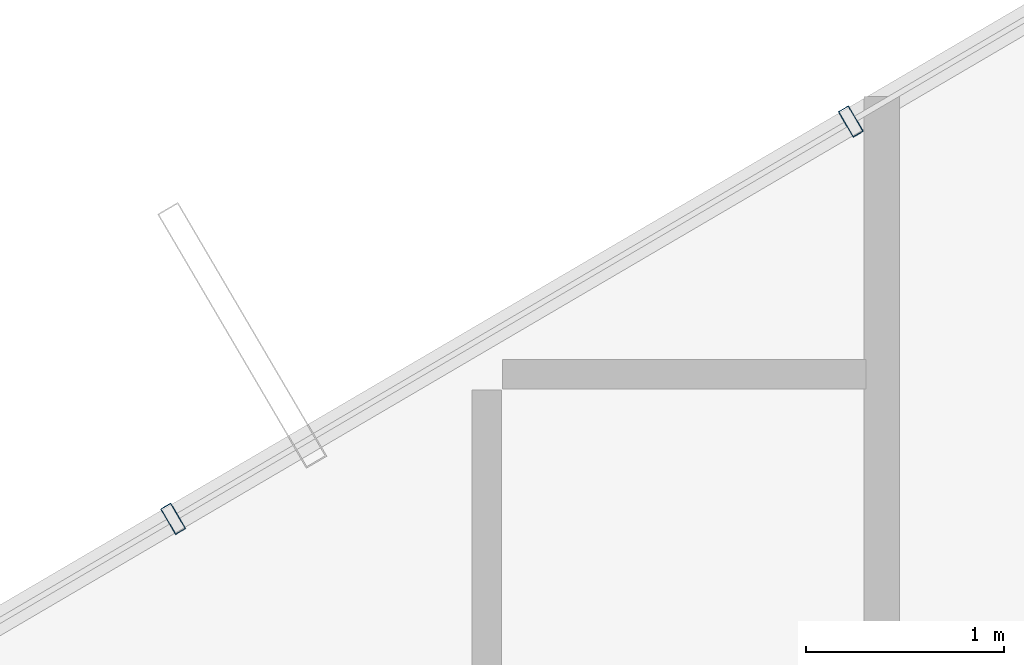
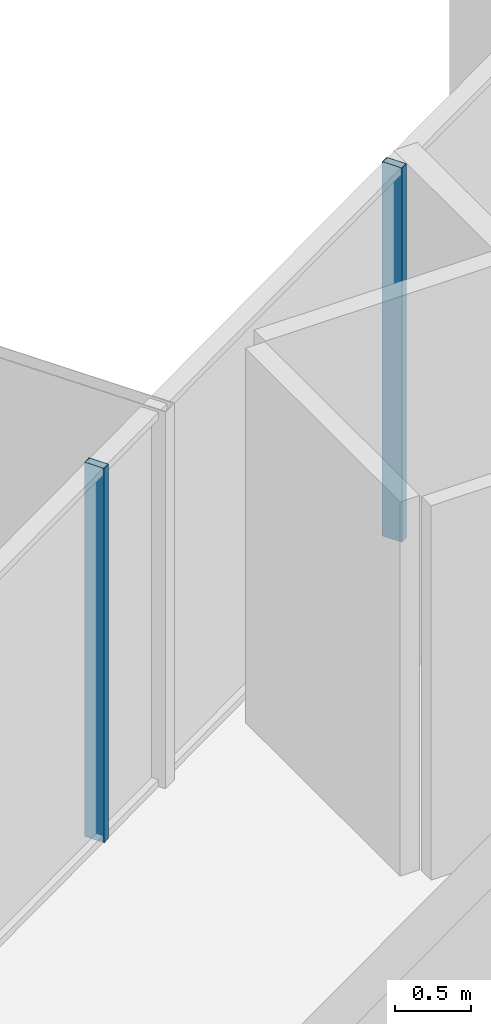
# One storey, part 20 of 31: 2 members, 1 element without a shape of its own.
"""IFC4 building model written with IfcOpenShell, lengths in metres."""

from ifc_helpers import new_model, si_unit, direction, frame, origin, origin_2d, place, context, subcontext, project, spatial, hollow_rectangle, extrude, source, transform, mapped, material, layer, layer_set, material_profile, profile_set, type_object, element, aggregate, save


model = new_model("IFC4")

# Units and contexts
model_context = context("Model", 3, precision=1e-05, world=origin(), true_north=direction((0.0, 1.0)))
body_context = subcontext(model_context, "Body", "Model", "MODEL_VIEW")
ifc_project = project(units=[si_unit("LENGTHUNIT", "METRE"), si_unit("AREAUNIT", "SQUARE_METRE"), si_unit("VOLUMEUNIT", "CUBIC_METRE"), si_unit("PLANEANGLEUNIT", "RADIAN"), si_unit("MASSUNIT", "GRAM", prefix="KILO")], contexts=[model_context])

# Site, building, storey
site_placement = place(None, origin())
site = spatial("IfcSite", under=ifc_project, at=site_placement, CompositionType="ELEMENT")
building_placement = place(site_placement, origin())
building = spatial("IfcBuilding", under=site, at=building_placement, Name="Veraguas Prism Commons", CompositionType="ELEMENT")
storey_placement = place(building_placement, frame((0.0, 0.0, 204.85009765625)))
storey = spatial("IfcBuildingStorey", under=building, at=storey_placement, Name="L58", CompositionType="ELEMENT", Elevation=204.85009765625)

# Curtain wall, members
ifc_material = material(Name="Anodised aluminium EN AW-6063 T6", Category="aluminium")
ifc_layer = layer(ifc_material, 0.14990234375, Name="Unitised Flush Curtain Wall Zone 3", Category="aluminium")
ifc_layer_set = layer_set([ifc_layer], Name="Anodised aluminium EN AW-6063 T6")
curtain_wall_type = type_object("IfcCurtainWallType", Name="Unitised Flush Curtain Wall Zone 3", PredefinedType="NOTDEFINED", material=ifc_layer_set)
curtain_wall_placement = place(storey_placement, origin())
curtain_wall = element("IfcCurtainWall", 1, at=curtain_wall_placement, inside=storey, type_object=curtain_wall_type, Name="Tower Facade Curtain Wall L58-F2", PredefinedType="NOTDEFINED")
ifc_material_profile = material_profile(ifc_material, hollow_rectangle(XDim=0.06005859375, YDim=0.14990234375, WallThickness=0.0029296875, at=origin_2d()), Name="AL60X150X3")
ifc_profile_set = profile_set([ifc_material_profile], Name="Anodised aluminium EN AW-6063 T6")
member_type = type_object("IfcMemberType", Name="Curtain Wall Mullion Upper AL 60x150x3", PredefinedType="MULLION", material=ifc_profile_set)
shared_shape = source(origin(), body_context, "Body", "SweptSolid", [
    extrude(hollow_rectangle(XDim=0.06005859375, YDim=0.14990234375, WallThickness=0.0029296875, at=origin_2d()), origin(), (0.0, 0.0, 1.0), 3.014892578125),
])
member_1_placement = place(storey_placement, frame((15.04345703125, 39.278564453125, 0.0), z_axis=(0.0, 0.0, 1.0), x_axis=(-0.86268584238, -0.505740187604, 0.0)))
member_1 = element("IfcMember", 2, at=member_1_placement, type_object=member_type, Name="CW-Z3 Mullion 3", PredefinedType="MULLION", context=body_context, shape_type="MappedRepresentation", body=[
    mapped(shared_shape, transform((0.0, 0.0, 0.0), scale=1.0)),
])
member_2_placement = place(storey_placement, frame((11.61376953125, 37.267822265625, 0.0), z_axis=(0.0, 0.0, 1.0), x_axis=(-0.86268584238, -0.505740187604, 0.0)))
member_2 = element("IfcMember", 3, at=member_2_placement, type_object=member_type, Name="CW-Z3 Mullion 4", PredefinedType="MULLION", context=body_context, shape_type="MappedRepresentation", body=[
    mapped(shared_shape, transform((0.0, 0.0, 0.0), scale=1.0)),
])
aggregate(curtain_wall, [member_1, member_2])

save(model, "model.ifc")
